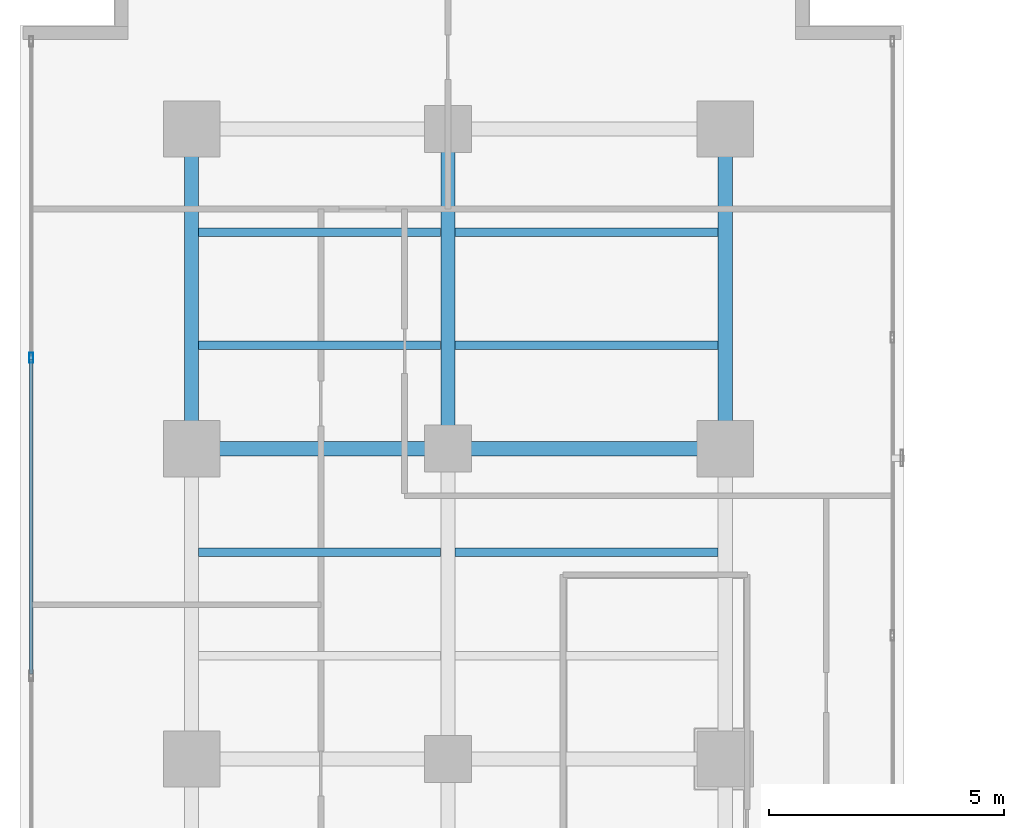
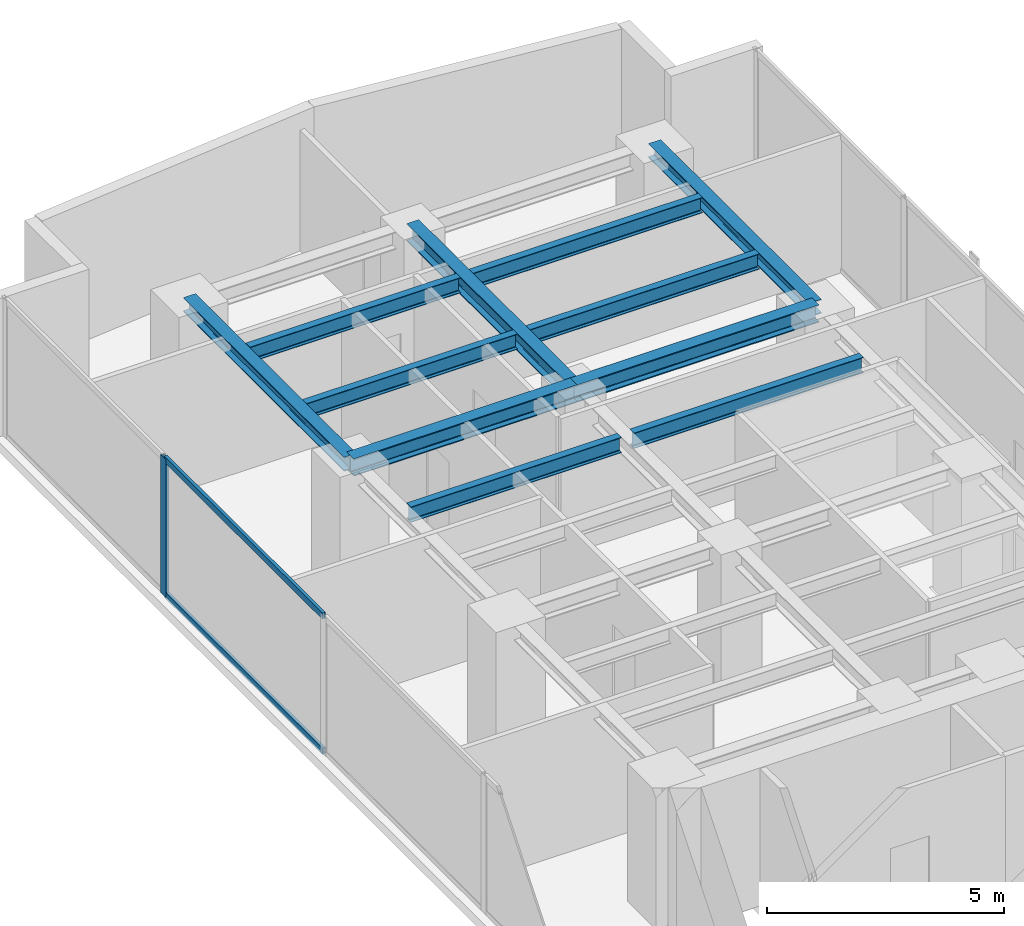
# One storey, part 15 of 23: 11 beams, 3 members, 1 element without a shape of its own.
"""IFC4 building model written with IfcOpenShell, lengths in metres."""

from ifc_helpers import new_model, si_unit, direction, frame, origin, origin_with_axes, origin_2d, place, context, subcontext, project, spatial, hollow_rectangle, i_section, extrude, source, transform, mapped, material, layer, layer_set, material_profile, profile_set, type_object, element, aggregate, save


model = new_model("IFC4")

# Units and contexts
model_context = context("Model", 3, precision=1e-05, world=origin(), true_north=direction((0.0, 1.0)))
body_context = subcontext(model_context, "Body", "Model", "MODEL_VIEW")
ifc_project = project(units=[si_unit("LENGTHUNIT", "METRE"), si_unit("AREAUNIT", "SQUARE_METRE"), si_unit("VOLUMEUNIT", "CUBIC_METRE"), si_unit("PLANEANGLEUNIT", "RADIAN"), si_unit("MASSUNIT", "GRAM", prefix="KILO")], contexts=[model_context])

# Site, building, storey
site_placement = place(None, origin())
site = spatial("IfcSite", under=ifc_project, at=site_placement, CompositionType="ELEMENT")
building_placement = place(site_placement, origin())
building = spatial("IfcBuilding", under=site, at=building_placement, Name="Kolvaren Waterfront Exchange", CompositionType="ELEMENT")
storey_placement = place(building_placement, frame((0.0, 0.0, 188.0)))
storey = spatial("IfcBuildingStorey", under=building, at=storey_placement, Name="L48", CompositionType="ELEMENT", Elevation=188.0)

# Beams
ifc_material_1 = material(Name="Steel S355", Category="steel")
ifc_material_profile_1 = material_profile(ifc_material_1, i_section(OverallWidth=0.300048828125, OverallDepth=0.360107421875, WebThickness=0.012451171875, FlangeThickness=0.0224609375, FilletRadius=0.027099609375, at=origin_2d()), Name="HEB360")
ifc_profile_set_1 = profile_set([ifc_material_profile_1], Name="Steel S355")
beam_type_1 = type_object("IfcBeamType", Name="STR-BM-HEB360", PredefinedType="SPANDREL", material=ifc_profile_set_1)
for number, where, z_axis, x_axis, name in (
    (1, (7.449951171875, 37.800048828125, 3.3798828125), (0.0, 1.0, 0.0), (-1.0, 0.0, 0.0), "L48 north-arm edge beam 3"),
    (2, (18.800048828125, 37.800048828125, 3.3798828125), (0.0, 1.0, 0.0), (-1.0, 0.0, 0.0), "L48 north-arm edge beam 3"),
):
    element("IfcBeam", number, at=place(storey_placement, frame(where, z_axis=z_axis, x_axis=x_axis)), inside=storey, type_object=beam_type_1, Name=name, PredefinedType="SPANDREL", context=body_context, shape_type="SweptSolid", body=[
        extrude(i_section(OverallWidth=0.300048828125, OverallDepth=0.360107421875, WebThickness=0.012451171875, FlangeThickness=0.0224609375, FilletRadius=0.027099609375, at=origin_2d()), origin(), (0.0, 0.0, 1.0), 6.800048828125),
    ])
ifc_material_profile_2 = material_profile(ifc_material_1, i_section(OverallWidth=0.300048828125, OverallDepth=0.449951171875, WebThickness=0.013916015625, FlangeThickness=0.02587890625, FilletRadius=0.027099609375, at=origin_2d()), Name="HEB450")
ifc_profile_set_2 = profile_set([ifc_material_profile_2], Name="Steel S355")
beam_type_2 = type_object("IfcBeamType", Name="STR-BM-HEB450", PredefinedType="BEAM", material=ifc_profile_set_2)
beam_1_placement = place(storey_placement, frame((7.449951171875, 37.800048828125, 3.3349609375), z_axis=(1.0, 0.0, 0.0), x_axis=(0.0, 1.0, 0.0)))
element("IfcBeam", 3, at=beam_1_placement, inside=storey, type_object=beam_type_2, Name="L48 north-arm girder 3A", PredefinedType="BEAM", context=body_context, shape_type="SweptSolid", body=[
    extrude(i_section(OverallWidth=0.300048828125, OverallDepth=0.449951171875, WebThickness=0.013916015625, FlangeThickness=0.02587890625, FilletRadius=0.027099609375, at=origin_2d()), origin(), (0.0, 0.0, 1.0), 5.449951171875),
])
beam_2_placement = place(storey_placement, frame((12.89990234375, 37.800048828125, 3.3349609375), z_axis=(1.0, 0.0, 0.0), x_axis=(0.0, 1.0, 0.0)))
element("IfcBeam", 4, at=beam_2_placement, inside=storey, type_object=beam_type_2, Name="L48 north-arm girder 3B", PredefinedType="BEAM", context=body_context, shape_type="SweptSolid", body=[
    extrude(i_section(OverallWidth=0.300048828125, OverallDepth=0.449951171875, WebThickness=0.013916015625, FlangeThickness=0.02587890625, FilletRadius=0.027099609375, at=origin_2d()), origin(), (0.0, 0.0, 1.0), 5.900146484375),
])
beam_3_placement = place(storey_placement, frame((12.89990234375, 37.800048828125, 3.3349609375), z_axis=(0.0, 1.0, 0.0), x_axis=(-1.0, 0.0, 0.0)))
element("IfcBeam", 5, at=beam_3_placement, inside=storey, type_object=beam_type_2, Name="L48 north-arm edge beam 3", PredefinedType="BEAM", context=body_context, shape_type="SweptSolid", body=[
    extrude(i_section(OverallWidth=0.300048828125, OverallDepth=0.449951171875, WebThickness=0.013916015625, FlangeThickness=0.02587890625, FilletRadius=0.027099609375, at=origin_2d()), origin(), (0.0, 0.0, 1.0), 6.800048828125),
])
ifc_material_profile_3 = material_profile(ifc_material_1, i_section(OverallWidth=0.179931640625, OverallDepth=0.39990234375, WebThickness=0.008544921875, FlangeThickness=0.013427734375, FilletRadius=0.02099609375, at=origin_2d()), Name="IPE400")
ifc_profile_set_3 = profile_set([ifc_material_profile_3], Name="Steel S355")
beam_type_3 = type_object("IfcBeamType", Name="STR-BM-IPE400", PredefinedType="JOIST", material=ifc_profile_set_3)
beam_4_placement = place(storey_placement, frame((7.60205078125, 35.60009765625, 3.360107421875), z_axis=(1.0, 0.0, 0.0), x_axis=(0.0, 1.0, 0.0)))
element("IfcBeam", 6, at=beam_4_placement, inside=storey, type_object=beam_type_3, Name="L48 north-arm composite joist 4A", PredefinedType="JOIST", context=body_context, shape_type="SweptSolid", body=[
    extrude(i_section(OverallWidth=0.179931640625, OverallDepth=0.39990234375, WebThickness=0.008544921875, FlangeThickness=0.013427734375, FilletRadius=0.02099609375, at=origin_2d()), origin(), (0.0, 0.0, 1.0), 5.14599609375),
])
beam_5_placement = place(storey_placement, frame((13.052001953125, 35.60009765625, 3.360107421875), z_axis=(1.0, 0.0, 0.0), x_axis=(0.0, 1.0, 0.0)))
element("IfcBeam", 7, at=beam_5_placement, inside=storey, type_object=beam_type_3, Name="L48 north-arm composite joist 4B", PredefinedType="JOIST", context=body_context, shape_type="SweptSolid", body=[
    extrude(i_section(OverallWidth=0.179931640625, OverallDepth=0.39990234375, WebThickness=0.008544921875, FlangeThickness=0.013427734375, FilletRadius=0.02099609375, at=origin_2d()), origin(), (0.0, 0.0, 1.0), 5.595947265625),
])
beam_6_placement = place(storey_placement, frame((7.60205078125, 40.0, 3.360107421875), z_axis=(1.0, 0.0, 0.0), x_axis=(0.0, 1.0, 0.0)))
element("IfcBeam", 8, at=beam_6_placement, inside=storey, type_object=beam_type_3, Name="L48 north-arm composite joist 5A", PredefinedType="JOIST", context=body_context, shape_type="SweptSolid", body=[
    extrude(i_section(OverallWidth=0.179931640625, OverallDepth=0.39990234375, WebThickness=0.008544921875, FlangeThickness=0.013427734375, FilletRadius=0.02099609375, at=origin_2d()), origin(), (0.0, 0.0, 1.0), 5.14599609375),
])
beam_7_placement = place(storey_placement, frame((13.052001953125, 40.0, 3.360107421875), z_axis=(1.0, 0.0, 0.0), x_axis=(0.0, 1.0, 0.0)))
element("IfcBeam", 9, at=beam_7_placement, inside=storey, type_object=beam_type_3, Name="L48 north-arm composite joist 5B", PredefinedType="JOIST", context=body_context, shape_type="SweptSolid", body=[
    extrude(i_section(OverallWidth=0.179931640625, OverallDepth=0.39990234375, WebThickness=0.008544921875, FlangeThickness=0.013427734375, FilletRadius=0.02099609375, at=origin_2d()), origin(), (0.0, 0.0, 1.0), 5.595947265625),
])
beam_8_placement = place(storey_placement, frame((7.60205078125, 42.39990234375, 3.360107421875), z_axis=(1.0, 0.0, 0.0), x_axis=(0.0, 1.0, 0.0)))
element("IfcBeam", 10, at=beam_8_placement, inside=storey, type_object=beam_type_3, Name="L48 north-arm composite joist 6A", PredefinedType="JOIST", context=body_context, shape_type="SweptSolid", body=[
    extrude(i_section(OverallWidth=0.179931640625, OverallDepth=0.39990234375, WebThickness=0.008544921875, FlangeThickness=0.013427734375, FilletRadius=0.02099609375, at=origin_2d()), origin(), (0.0, 0.0, 1.0), 5.14599609375),
])
beam_9_placement = place(storey_placement, frame((13.052001953125, 42.39990234375, 3.360107421875), z_axis=(1.0, 0.0, 0.0), x_axis=(0.0, 1.0, 0.0)))
element("IfcBeam", 11, at=beam_9_placement, inside=storey, type_object=beam_type_3, Name="L48 north-arm composite joist 6B", PredefinedType="JOIST", context=body_context, shape_type="SweptSolid", body=[
    extrude(i_section(OverallWidth=0.179931640625, OverallDepth=0.39990234375, WebThickness=0.008544921875, FlangeThickness=0.013427734375, FilletRadius=0.02099609375, at=origin_2d()), origin(), (0.0, 0.0, 1.0), 5.595947265625),
])

# Curtain wall, members
ifc_material_2 = material(Name="Anodised aluminium 6063-T6", Category="aluminium")
ifc_layer = layer(ifc_material_2, 0.219970703125, Name="Anodised aluminium 6063-T6")
ifc_layer_set = layer_set([ifc_layer], Name="Anodised aluminium 6063-T6")
curtain_wall_type = type_object("IfcCurtainWallType", Name="ARC-CW-SYS2", PredefinedType="USERDEFINED", material=ifc_layer_set)
curtain_wall_placement = place(storey_placement, origin())
curtain_wall = element("IfcCurtainWall", 12, at=curtain_wall_placement, inside=storey, type_object=curtain_wall_type, Name="L48 stick curtain wall CW2 (CW-L48-W)", ObjectType="STICK CURTAIN WALL", PredefinedType="USERDEFINED")
ifc_material_profile_4 = material_profile(ifc_material_2, hollow_rectangle(XDim=0.080078125, YDim=0.219970703125, WallThickness=0.0048828125, at=origin_2d()), Name="ALU-MUL-220x80x5")
ifc_profile_set_4 = profile_set([ifc_material_profile_4], Name="Anodised aluminium 6063-T6")
member_type_1 = type_object("IfcMemberType", Name="ARC-CWM-220", PredefinedType="MULLION", material=ifc_profile_set_4)
shared_shape_1 = source(origin_with_axes(), body_context, "Body", "SweptSolid", [
    extrude(hollow_rectangle(XDim=0.080078125, YDim=0.219970703125, WallThickness=0.0048828125, at=origin_2d()), origin(), (0.0, 0.0, 1.0), 3.56005859375),
])
member_1_placement = place(storey_placement, frame((4.0400390625, 39.7333984375, 0.0), z_axis=(0.0, 0.0, 1.0), x_axis=(-1.0, 0.0, 0.0)))
member_1 = element("IfcMember", 13, at=member_1_placement, type_object=member_type_1, Name="CW2 mullion 6", PredefinedType="MULLION", context=body_context, shape_type="MappedRepresentation", body=[
    mapped(shared_shape_1, transform((0.0, 0.0, 0.0), x_axis=(1.0, 0.0, 0.0), y_axis=(0.0, 1.0, 0.0), z_axis=(0.0, 0.0, 1.0), scale=1.0)),
])
ifc_material_profile_5 = material_profile(ifc_material_2, hollow_rectangle(XDim=0.074951171875, YDim=0.159912109375, WallThickness=0.00439453125, at=origin_2d()), Name="ALU-TRN-160x75x4.5")
ifc_profile_set_5 = profile_set([ifc_material_profile_5], Name="Anodised aluminium 6063-T6")
member_type_2 = type_object("IfcMemberType", Name="ARC-CWT-160", PredefinedType="USERDEFINED", material=ifc_profile_set_5)
shared_shape_2 = source(origin_with_axes(), body_context, "Body", "SweptSolid", [
    extrude(hollow_rectangle(XDim=0.074951171875, YDim=0.159912109375, WallThickness=0.00439453125, at=origin_2d()), origin(), (0.0, 0.0, 1.0), 6.686767578125),
])
member_2_placement = place(storey_placement, frame((4.0400390625, 33.006591796875, 0.03759765625), z_axis=(0.0, 1.0, 0.0), x_axis=(-1.0, 0.0, 0.0)))
member_2 = element("IfcMember", 14, at=member_2_placement, type_object=member_type_2, Name="CW2 transom 5.1", ObjectType="TRANSOM", PredefinedType="USERDEFINED", context=body_context, shape_type="MappedRepresentation", body=[
    mapped(shared_shape_2, transform((0.0, 0.0, 0.0), x_axis=(1.0, 0.0, 0.0), y_axis=(0.0, 1.0, 0.0), z_axis=(0.0, 0.0, 1.0), scale=1.0)),
])
member_3_placement = place(storey_placement, frame((4.0400390625, 33.006591796875, 3.5224609375), z_axis=(0.0, 1.0, 0.0), x_axis=(-1.0, 0.0, 0.0)))
member_3 = element("IfcMember", 15, at=member_3_placement, type_object=member_type_2, Name="CW2 transom 5.2", ObjectType="TRANSOM", PredefinedType="USERDEFINED", context=body_context, shape_type="MappedRepresentation", body=[
    mapped(shared_shape_2, transform((0.0, 0.0, 0.0), x_axis=(1.0, 0.0, 0.0), y_axis=(0.0, 1.0, 0.0), z_axis=(0.0, 0.0, 1.0), scale=1.0)),
])
aggregate(curtain_wall, [member_1, member_2, member_3])

save(model, "model.ifc")
